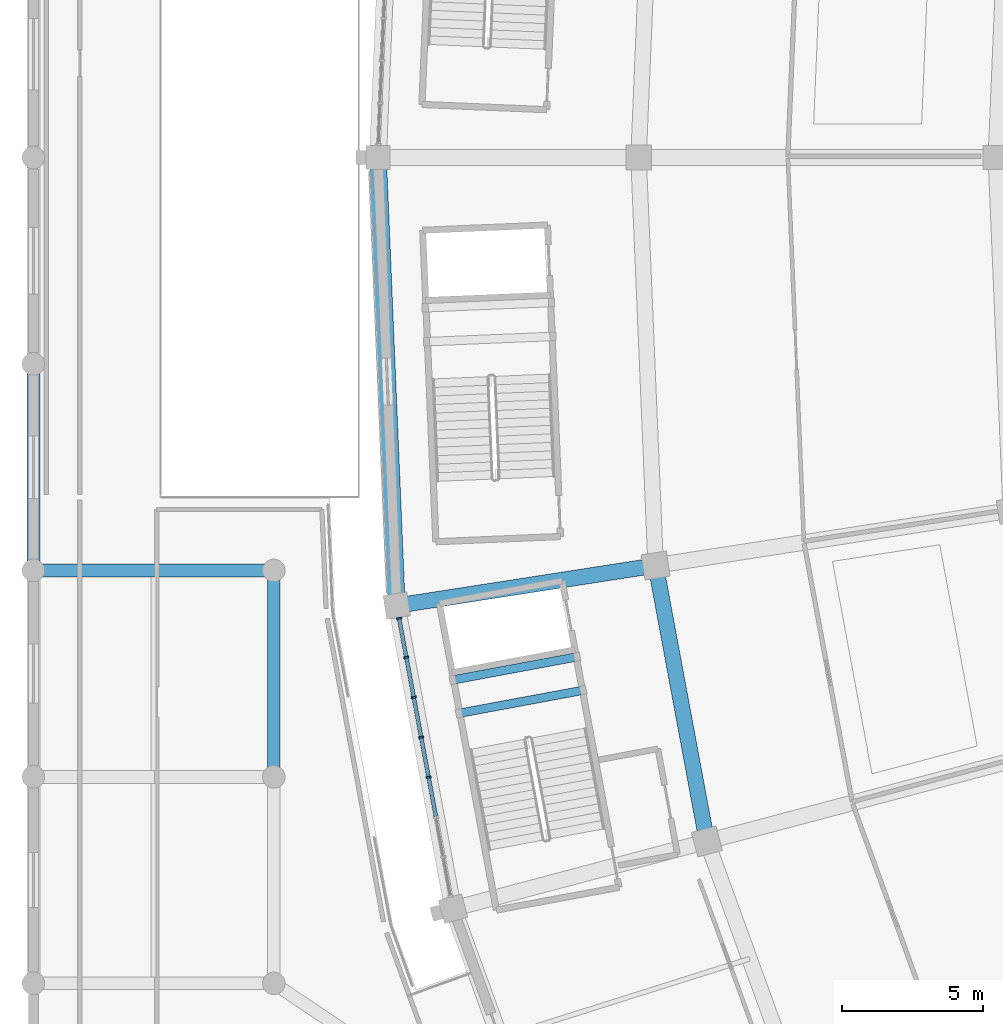
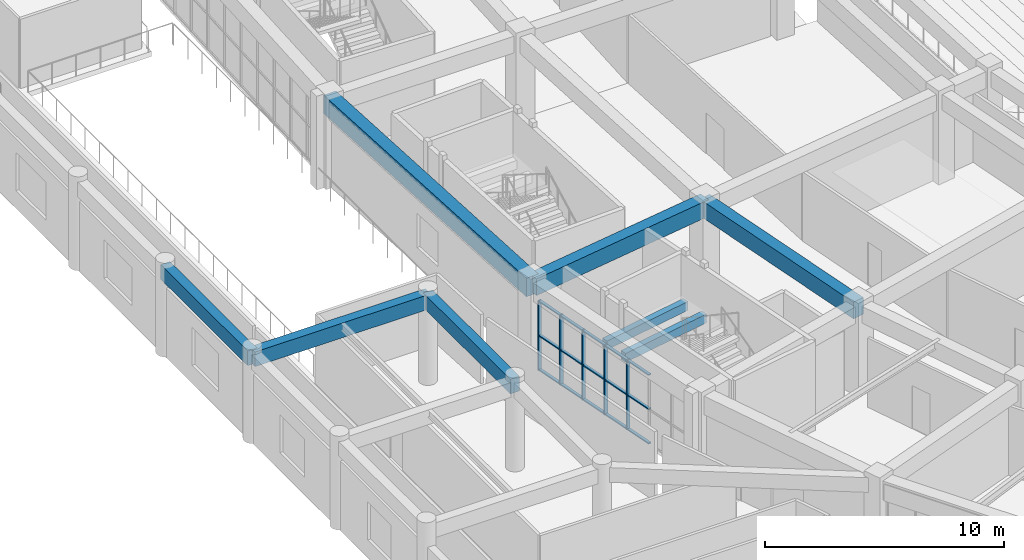
# One storey, part 26 of 152: 20 members, 8 beams, 1 element without a shape of its own.
"""IFC4 building model written with IfcOpenShell, lengths in metres."""

from ifc_helpers import new_model, si_unit, direction, frame, origin, origin_2d, place, context, subcontext, project, spatial, rectangle, extrude, material, layer, layer_set, material_profile, profile_set, type_object, element, aggregate, save


model = new_model("IFC4")

# Units and contexts
model_context = context("Model", 3, precision=1e-05, world=origin(), true_north=direction((0.0, 1.0)))
body_context = subcontext(model_context, "Body", "Model", "MODEL_VIEW")
ifc_project = project(units=[si_unit("LENGTHUNIT", "METRE"), si_unit("AREAUNIT", "SQUARE_METRE"), si_unit("VOLUMEUNIT", "CUBIC_METRE"), si_unit("PLANEANGLEUNIT", "RADIAN"), si_unit("MASSUNIT", "GRAM", prefix="KILO")], contexts=[model_context])

# Site, building, storey
site_placement = place(None, origin())
site = spatial("IfcSite", under=ifc_project, at=site_placement, CompositionType="ELEMENT")
building_placement = place(site_placement, origin())
building = spatial("IfcBuilding", under=site, at=building_placement, Name="Mphavela Belvedere Stadium", CompositionType="ELEMENT")
storey_placement = place(building_placement, frame((0.0, 0.0, 5.39990234375)))
storey = spatial("IfcBuildingStorey", under=building, at=storey_placement, Name="L01", CompositionType="ELEMENT", Elevation=5.39990234375)

# Beams
ifc_material_1 = material(Name="Concrete C40/50", Category="concrete")
ifc_material_profile_1 = material_profile(ifc_material_1, rectangle(XDim=0.60009765625, YDim=0.949951171875, at=origin_2d()), Name="RC 600x950")
ifc_profile_set_1 = profile_set([ifc_material_profile_1], Name="Concrete C40/50")
beam_type_1 = type_object("IfcBeamType", Name="BM-ENTABLATURE-950", PredefinedType="SPANDREL", material=ifc_profile_set_1)
beam_1_placement = place(storey_placement, frame((12.179931640625, 87.0, 4.0751953125), z_axis=(0.041903963155, -0.999121643181, 0.0), x_axis=(0.999121643181, 0.041903963155, 0.0)))
element("IfcBeam", 1, at=beam_1_placement, inside=storey, type_object=beam_type_1, Name="Circumferential girder L01 R4-25", PredefinedType="SPANDREL", context=body_context, shape_type="SweptSolid", body=[
    extrude(rectangle(XDim=0.60009765625, YDim=0.949951171875, at=origin_2d()), origin(), (0.0, 0.0, 1.0), 15.85888671875),
])
ifc_material_2 = material(Name="Concrete C40/50", Category="concrete")
ifc_material_profile_2 = material_profile(ifc_material_2, rectangle(XDim=0.300048828125, YDim=0.449951171875, at=origin_2d()), Name="RC 300x450")
ifc_profile_set_2 = profile_set([ifc_material_profile_2], Name="Concrete C40/50")
beam_type_2 = type_object("IfcBeamType", Name="BM-RC300x450", PredefinedType="BEAM", material=ifc_profile_set_2)
beam_2_placement = place(storey_placement, frame((19.440673828125, 68.16357421875, 1.97509765625), z_axis=(-0.9831891563, -0.182589931088, 0.0), x_axis=(0.182589931088, -0.9831891563, 0.0)))
element("IfcBeam", 2, at=beam_2_placement, inside=storey, type_object=beam_type_2, Name="Core C09 landing trimmer beam L01-1", PredefinedType="BEAM", context=body_context, shape_type="SweptSolid", body=[
    extrude(rectangle(XDim=0.300048828125, YDim=0.449951171875, at=origin_2d()), origin(), (0.0, 0.0, 1.0), 4.469970703125),
])
beam_3_placement = place(storey_placement, frame((19.2216796875, 69.343505859375, 1.97509765625), z_axis=(-0.983190977087, -0.182580126453, 0.0), x_axis=(0.182580126453, -0.983190977087, 0.0)))
element("IfcBeam", 3, at=beam_3_placement, inside=storey, type_object=beam_type_2, Name="Core C09 landing trimmer beam L01-2", PredefinedType="BEAM", context=body_context, shape_type="SweptSolid", body=[
    extrude(rectangle(XDim=0.300048828125, YDim=0.449951171875, at=origin_2d()), origin(), (0.0, 0.0, 1.0), 4.47021484375),
])
ifc_material_3 = material(Name="Concrete C40/50", Category="concrete")
ifc_material_profile_3 = material_profile(ifc_material_3, rectangle(XDim=0.449951171875, YDim=0.75, at=origin_2d()), Name="RC 450x750")
ifc_profile_set_3 = profile_set([ifc_material_profile_3], Name="Concrete C40/50")
beam_type_3 = type_object("IfcBeamType", Name="BM-RC450x750", PredefinedType="BEAM", material=ifc_profile_set_3)
beam_4_placement = place(storey_placement, frame((0.0, 72.39990234375, 4.1650390625), z_axis=(1.0, 0.0, 0.0), x_axis=(0.0, 1.0, 0.0)))
element("IfcBeam", 4, at=beam_4_placement, inside=storey, type_object=beam_type_3, Name="West Planted Eaves Peristyle Colonnade entablature beam X L01 1-4", PredefinedType="BEAM", context=body_context, shape_type="SweptSolid", body=[
    extrude(rectangle(XDim=0.449951171875, YDim=0.75, at=origin_2d()), origin(), (0.0, 0.0, 1.0), 8.5),
])
beam_5_placement = place(storey_placement, frame((0.0, 72.39990234375, 4.1650390625), z_axis=(0.0, 1.0, 0.0), x_axis=(-1.0, 0.0, 0.0)))
element("IfcBeam", 5, at=beam_5_placement, inside=storey, type_object=beam_type_3, Name="West Planted Eaves Peristyle Colonnade entablature beam Y L01 1-4", PredefinedType="BEAM", context=body_context, shape_type="SweptSolid", body=[
    extrude(rectangle(XDim=0.449951171875, YDim=0.75, at=origin_2d()), origin(), (0.0, 0.0, 1.0), 7.300048828125),
])
beam_6_placement = place(storey_placement, frame((8.5, 65.10009765625, 4.1650390625), z_axis=(0.0, 1.0, 0.0), x_axis=(-1.0, 0.0, 0.0)))
element("IfcBeam", 6, at=beam_6_placement, inside=storey, type_object=beam_type_3, Name="West Planted Eaves Peristyle Colonnade entablature beam Y L01 2-3", PredefinedType="BEAM", context=body_context, shape_type="SweptSolid", body=[
    extrude(rectangle(XDim=0.449951171875, YDim=0.75, at=origin_2d()), origin(), (0.0, 0.0, 1.0), 7.2998046875),
])
ifc_material_4 = material(Name="Concrete C40/50", Category="concrete")
ifc_material_profile_4 = material_profile(ifc_material_4, rectangle(XDim=0.550048828125, YDim=0.85009765625, at=origin_2d()), Name="RC 550x850")
ifc_profile_set_4 = profile_set([ifc_material_profile_4], Name="Concrete C40/50")
beam_type_4 = type_object("IfcBeamType", Name="BM-RC550x850", PredefinedType="BEAM", material=ifc_profile_set_4)
beam_7_placement = place(storey_placement, frame((22.0, 72.5751953125, 4.125), z_axis=(0.182638056683, -0.983180217585, 0.0), x_axis=(0.983180217585, 0.182638056683, 0.0)))
element("IfcBeam", 7, at=beam_7_placement, inside=storey, type_object=beam_type_4, Name="Circumferential girder L01 R3-26", PredefinedType="BEAM", context=body_context, shape_type="SweptSolid", body=[
    extrude(rectangle(XDim=0.550048828125, YDim=0.85009765625, at=origin_2d()), origin(), (0.0, 0.0, 1.0), 9.924072265625),
])
beam_8_placement = place(storey_placement, frame((22.0, 72.5751953125, 4.125), z_axis=(-0.988182369303, -0.153282761586, 0.0), x_axis=(0.153282761586, -0.988182369303, 0.0)))
element("IfcBeam", 8, at=beam_8_placement, inside=storey, type_object=beam_type_4, Name="Radial concourse girder L01 R3R4-26", PredefinedType="BEAM", context=body_context, shape_type="SweptSolid", body=[
    extrude(rectangle(XDim=0.550048828125, YDim=0.85009765625, at=origin_2d()), origin(), (0.0, 0.0, 1.0), 9.264892578125),
])

# Curtain wall, members
ifc_material_5 = material(Name="Anodised bronze unitised curtain wall framing")
ifc_layer = layer(ifc_material_5, 0.195068359375)
ifc_layer_set = layer_set([ifc_layer], Name="Anodised bronze unitised curtain wall framing")
curtain_wall_type = type_object("IfcCurtainWallType", Name="CW-UNIT-04", PredefinedType="USERDEFINED", material=ifc_layer_set)
curtain_wall_placement = place(storey_placement, origin())
curtain_wall = element("IfcCurtainWall", 9, at=curtain_wall_placement, inside=storey, type_object=curtain_wall_type, Name="Belvedere colonnade curtain wall L01-26", ObjectType="UNITISED CURTAIN WALL", PredefinedType="USERDEFINED")
ifc_material_6 = material(Name="Anodised bronze extruded aluminium", Category="aluminium")
ifc_material_profile_5 = material_profile(ifc_material_6, rectangle(XDim=0.179931640625, YDim=0.06494140625, at=origin_2d()), Name="CW-MUL 180x65")
ifc_profile_set_5 = profile_set([ifc_material_profile_5], Name="Anodised bronze extruded aluminium")
member_type_1 = type_object("IfcMemberType", Name="CWM-180x65", PredefinedType="MULLION", material=ifc_profile_set_5)
member_1_placement = place(storey_placement, frame((12.927734375, 70.70703125, 0.0), z_axis=(0.0, 0.0, 1.0), x_axis=(0.983183659932, 0.182619524814, 0.0)))
member_1 = element("IfcMember", 10, at=member_1_placement, type_object=member_type_1, Name="CW-04 mullion 1", PredefinedType="MULLION", context=body_context, shape_type="SweptSolid", body=[
    extrude(rectangle(XDim=0.179931640625, YDim=0.06494140625, at=origin_2d()), origin(), (0.0, 0.0, 1.0), 3.570068359375),
])
member_2_placement = place(storey_placement, frame((13.184326171875, 69.326904296875, 0.0), z_axis=(0.0, 0.0, 1.0), x_axis=(0.983183659932, 0.182619524814, 0.0)))
member_2 = element("IfcMember", 11, at=member_2_placement, type_object=member_type_1, Name="CW-04 mullion 2", PredefinedType="MULLION", context=body_context, shape_type="SweptSolid", body=[
    extrude(rectangle(XDim=0.179931640625, YDim=0.06494140625, at=origin_2d()), origin(), (0.0, 0.0, 1.0), 3.570068359375),
])
member_3_placement = place(storey_placement, frame((13.446533203125, 67.91455078125, 0.0), z_axis=(0.0, 0.0, 1.0), x_axis=(0.983183659932, 0.182619524814, 0.0)))
member_3 = element("IfcMember", 12, at=member_3_placement, type_object=member_type_1, Name="CW-04 mullion 3", PredefinedType="MULLION", context=body_context, shape_type="SweptSolid", body=[
    extrude(rectangle(XDim=0.179931640625, YDim=0.06494140625, at=origin_2d()), origin(), (0.0, 0.0, 1.0), 3.570068359375),
])
member_4_placement = place(storey_placement, frame((13.708740234375, 66.50244140625, 0.0), z_axis=(0.0, 0.0, 1.0), x_axis=(0.983183659932, 0.182619524814, 0.0)))
member_4 = element("IfcMember", 13, at=member_4_placement, type_object=member_type_1, Name="CW-04 mullion 4", PredefinedType="MULLION", context=body_context, shape_type="SweptSolid", body=[
    extrude(rectangle(XDim=0.179931640625, YDim=0.06494140625, at=origin_2d()), origin(), (0.0, 0.0, 1.0), 3.570068359375),
])
member_5_placement = place(storey_placement, frame((13.97119140625, 65.090087890625, 0.0), z_axis=(0.0, 0.0, 1.0), x_axis=(0.983183659932, 0.182619524814, 0.0)))
member_5 = element("IfcMember", 14, at=member_5_placement, type_object=member_type_1, Name="CW-04 mullion 5", PredefinedType="MULLION", context=body_context, shape_type="SweptSolid", body=[
    extrude(rectangle(XDim=0.179931640625, YDim=0.06494140625, at=origin_2d()), origin(), (0.0, 0.0, 1.0), 3.570068359375),
])
ifc_material_7 = material(Name="Anodised bronze extruded aluminium", Category="aluminium")
ifc_material_profile_6 = material_profile(ifc_material_7, rectangle(XDim=0.139892578125, YDim=0.06005859375, at=origin_2d()), Name="CW-TRN 140x60")
ifc_profile_set_6 = profile_set([ifc_material_profile_6], Name="Anodised bronze extruded aluminium")
member_type_2 = type_object("IfcMemberType", Name="CWT-140x60", PredefinedType="USERDEFINED", material=ifc_profile_set_6)
member_6_placement = place(storey_placement, frame((12.933837890625, 70.67529296875, 0.030029296875), z_axis=(0.182526723568, -0.983200892587, 0.0), x_axis=(0.983200892587, 0.182526723568, 0.0)))
member_6 = element("IfcMember", 15, at=member_6_placement, type_object=member_type_2, Name="CW-04 transom 1.1", ObjectType="TRANSOM", PredefinedType="USERDEFINED", context=body_context, shape_type="SweptSolid", body=[
    extrude(rectangle(XDim=0.139892578125, YDim=0.06005859375, at=origin_2d()), origin(), (0.0, 0.0, 1.0), 1.3388671875),
])
member_7_placement = place(storey_placement, frame((12.933837890625, 70.67529296875, 1.78515625), z_axis=(0.182526723568, -0.983200892587, 0.0), x_axis=(0.983200892587, 0.182526723568, 0.0)))
member_7 = element("IfcMember", 16, at=member_7_placement, type_object=member_type_2, Name="CW-04 transom 1.2", ObjectType="TRANSOM", PredefinedType="USERDEFINED", context=body_context, shape_type="SweptSolid", body=[
    extrude(rectangle(XDim=0.139892578125, YDim=0.06005859375, at=origin_2d()), origin(), (0.0, 0.0, 1.0), 1.3388671875),
])
member_8_placement = place(storey_placement, frame((12.933837890625, 70.67529296875, 3.5400390625), z_axis=(0.182526723568, -0.983200892587, 0.0), x_axis=(0.983200892587, 0.182526723568, 0.0)))
member_8 = element("IfcMember", 17, at=member_8_placement, type_object=member_type_2, Name="CW-04 transom 1.3", ObjectType="TRANSOM", PredefinedType="USERDEFINED", context=body_context, shape_type="SweptSolid", body=[
    extrude(rectangle(XDim=0.139892578125, YDim=0.06005859375, at=origin_2d()), origin(), (0.0, 0.0, 1.0), 1.3388671875),
])
member_9_placement = place(storey_placement, frame((13.190185546875, 69.294921875, 0.030029296875), z_axis=(0.182643817711, -0.983179147385, 0.0), x_axis=(0.983179147385, 0.182643817711, 0.0)))
member_9 = element("IfcMember", 18, at=member_9_placement, type_object=member_type_2, Name="CW-04 transom 2.1", ObjectType="TRANSOM", PredefinedType="USERDEFINED", context=body_context, shape_type="SweptSolid", body=[
    extrude(rectangle(XDim=0.139892578125, YDim=0.06005859375, at=origin_2d()), origin(), (0.0, 0.0, 1.0), 1.371337890625),
])
member_10_placement = place(storey_placement, frame((13.190185546875, 69.294921875, 1.78515625), z_axis=(0.182643817711, -0.983179147385, 0.0), x_axis=(0.983179147385, 0.182643817711, 0.0)))
member_10 = element("IfcMember", 19, at=member_10_placement, type_object=member_type_2, Name="CW-04 transom 2.2", ObjectType="TRANSOM", PredefinedType="USERDEFINED", context=body_context, shape_type="SweptSolid", body=[
    extrude(rectangle(XDim=0.139892578125, YDim=0.06005859375, at=origin_2d()), origin(), (0.0, 0.0, 1.0), 1.371337890625),
])
member_11_placement = place(storey_placement, frame((13.190185546875, 69.294921875, 3.5400390625), z_axis=(0.182643817711, -0.983179147385, 0.0), x_axis=(0.983179147385, 0.182643817711, 0.0)))
member_11 = element("IfcMember", 20, at=member_11_placement, type_object=member_type_2, Name="CW-04 transom 2.3", ObjectType="TRANSOM", PredefinedType="USERDEFINED", context=body_context, shape_type="SweptSolid", body=[
    extrude(rectangle(XDim=0.139892578125, YDim=0.06005859375, at=origin_2d()), origin(), (0.0, 0.0, 1.0), 1.371337890625),
])
member_12_placement = place(storey_placement, frame((13.452392578125, 67.882568359375, 0.030029296875), z_axis=(0.182675789722, -0.983173207451, 0.0), x_axis=(0.983173207451, 0.182675789722, 0.0)))
member_12 = element("IfcMember", 21, at=member_12_placement, type_object=member_type_2, Name="CW-04 transom 3.1", ObjectType="TRANSOM", PredefinedType="USERDEFINED", context=body_context, shape_type="SweptSolid", body=[
    extrude(rectangle(XDim=0.139892578125, YDim=0.06005859375, at=origin_2d()), origin(), (0.0, 0.0, 1.0), 1.371337890625),
])
member_13_placement = place(storey_placement, frame((13.452392578125, 67.882568359375, 1.78515625), z_axis=(0.182675789722, -0.983173207451, 0.0), x_axis=(0.983173207451, 0.182675789722, 0.0)))
member_13 = element("IfcMember", 22, at=member_13_placement, type_object=member_type_2, Name="CW-04 transom 3.2", ObjectType="TRANSOM", PredefinedType="USERDEFINED", context=body_context, shape_type="SweptSolid", body=[
    extrude(rectangle(XDim=0.139892578125, YDim=0.06005859375, at=origin_2d()), origin(), (0.0, 0.0, 1.0), 1.371337890625),
])
member_14_placement = place(storey_placement, frame((13.452392578125, 67.882568359375, 3.5400390625), z_axis=(0.182675789722, -0.983173207451, 0.0), x_axis=(0.983173207451, 0.182675789722, 0.0)))
member_14 = element("IfcMember", 23, at=member_14_placement, type_object=member_type_2, Name="CW-04 transom 3.3", ObjectType="TRANSOM", PredefinedType="USERDEFINED", context=body_context, shape_type="SweptSolid", body=[
    extrude(rectangle(XDim=0.139892578125, YDim=0.06005859375, at=origin_2d()), origin(), (0.0, 0.0, 1.0), 1.371337890625),
])
member_15_placement = place(storey_placement, frame((13.71484375, 66.470458984375, 0.030029296875), z_axis=(0.182643817711, -0.983179147385, 0.0), x_axis=(0.983179147385, 0.182643817711, 0.0)))
member_15 = element("IfcMember", 24, at=member_15_placement, type_object=member_type_2, Name="CW-04 transom 4.1", ObjectType="TRANSOM", PredefinedType="USERDEFINED", context=body_context, shape_type="SweptSolid", body=[
    extrude(rectangle(XDim=0.139892578125, YDim=0.06005859375, at=origin_2d()), origin(), (0.0, 0.0, 1.0), 1.371337890625),
])
member_16_placement = place(storey_placement, frame((13.71484375, 66.470458984375, 1.78515625), z_axis=(0.182643817711, -0.983179147385, 0.0), x_axis=(0.983179147385, 0.182643817711, 0.0)))
member_16 = element("IfcMember", 25, at=member_16_placement, type_object=member_type_2, Name="CW-04 transom 4.2", ObjectType="TRANSOM", PredefinedType="USERDEFINED", context=body_context, shape_type="SweptSolid", body=[
    extrude(rectangle(XDim=0.139892578125, YDim=0.06005859375, at=origin_2d()), origin(), (0.0, 0.0, 1.0), 1.371337890625),
])
member_17_placement = place(storey_placement, frame((13.71484375, 66.470458984375, 3.5400390625), z_axis=(0.182643817711, -0.983179147385, 0.0), x_axis=(0.983179147385, 0.182643817711, 0.0)))
member_17 = element("IfcMember", 26, at=member_17_placement, type_object=member_type_2, Name="CW-04 transom 4.3", ObjectType="TRANSOM", PredefinedType="USERDEFINED", context=body_context, shape_type="SweptSolid", body=[
    extrude(rectangle(XDim=0.139892578125, YDim=0.06005859375, at=origin_2d()), origin(), (0.0, 0.0, 1.0), 1.371337890625),
])
member_18_placement = place(storey_placement, frame((13.97705078125, 65.05810546875, 0.030029296875), z_axis=(0.182675789722, -0.983173207451, 0.0), x_axis=(0.983173207451, 0.182675789722, 0.0)))
member_18 = element("IfcMember", 27, at=member_18_placement, type_object=member_type_2, Name="CW-04 transom 5.1", ObjectType="TRANSOM", PredefinedType="USERDEFINED", context=body_context, shape_type="SweptSolid", body=[
    extrude(rectangle(XDim=0.139892578125, YDim=0.06005859375, at=origin_2d()), origin(), (0.0, 0.0, 1.0), 1.371337890625),
])
member_19_placement = place(storey_placement, frame((13.97705078125, 65.05810546875, 1.78515625), z_axis=(0.182675789722, -0.983173207451, 0.0), x_axis=(0.983173207451, 0.182675789722, 0.0)))
member_19 = element("IfcMember", 28, at=member_19_placement, type_object=member_type_2, Name="CW-04 transom 5.2", ObjectType="TRANSOM", PredefinedType="USERDEFINED", context=body_context, shape_type="SweptSolid", body=[
    extrude(rectangle(XDim=0.139892578125, YDim=0.06005859375, at=origin_2d()), origin(), (0.0, 0.0, 1.0), 1.371337890625),
])
member_20_placement = place(storey_placement, frame((13.97705078125, 65.05810546875, 3.5400390625), z_axis=(0.182675789722, -0.983173207451, 0.0), x_axis=(0.983173207451, 0.182675789722, 0.0)))
member_20 = element("IfcMember", 29, at=member_20_placement, type_object=member_type_2, Name="CW-04 transom 5.3", ObjectType="TRANSOM", PredefinedType="USERDEFINED", context=body_context, shape_type="SweptSolid", body=[
    extrude(rectangle(XDim=0.139892578125, YDim=0.06005859375, at=origin_2d()), origin(), (0.0, 0.0, 1.0), 1.371337890625),
])
aggregate(curtain_wall, [member_1, member_2, member_3, member_4, member_5, member_6, member_7, member_8, member_9, member_10, member_11, member_12, member_13, member_14, member_15, member_16, member_17, member_18, member_19, member_20])

save(model, "model.ifc")
